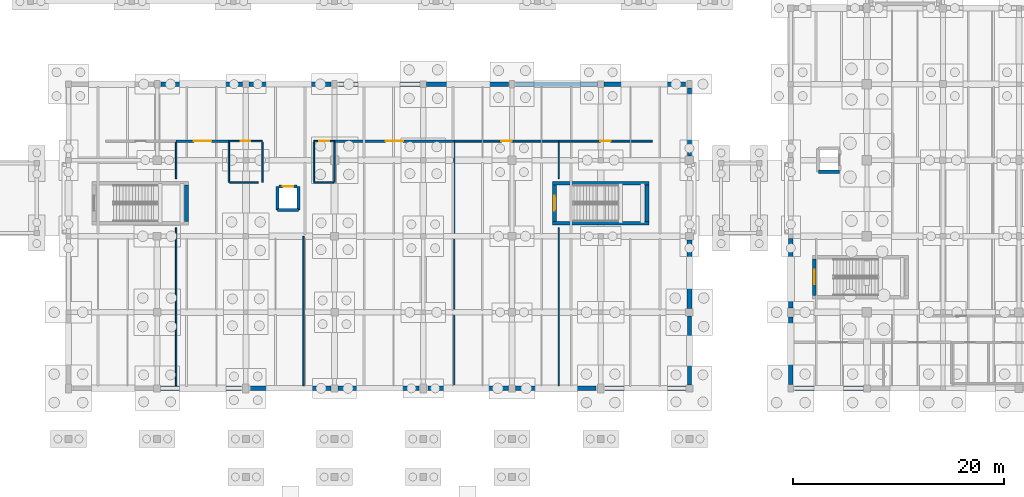
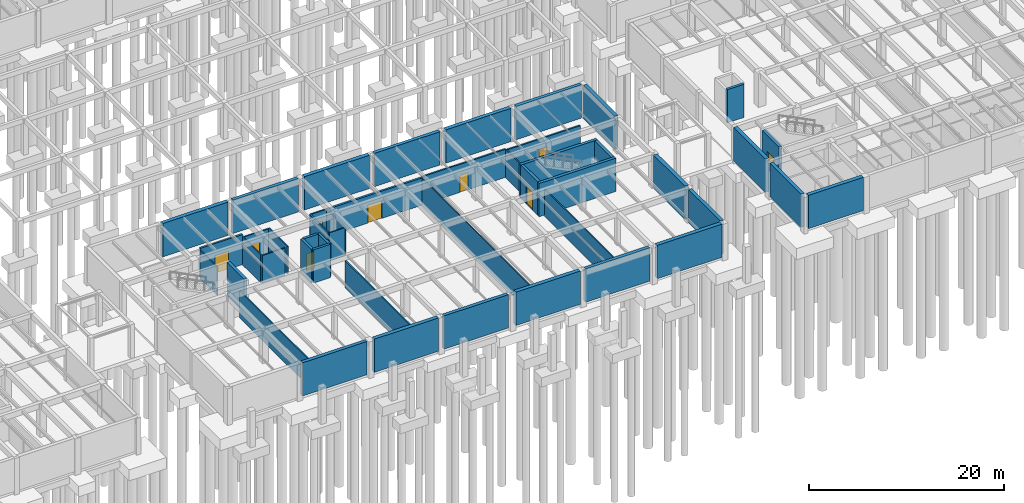
# One storey, part 42 of 63: 47 walls, 9 doors, 9 openings.
"""IFC4 building model written with IfcOpenShell, lengths in metres."""

from ifc_helpers import new_model, si_unit, direction, frame, frame_2d, origin, place, context, subcontext, project, spatial, rectangle, extrude, material, layer, layer_set, type_object, element, fill, save


model = new_model("IFC4")

# Units and contexts
model_context = context("Model", 3, precision=1e-05, world=origin(), true_north=direction((0.0, 1.0)))
body_context = subcontext(model_context, "Body", "Model", "MODEL_VIEW")
ifc_project = project(units=[si_unit("LENGTHUNIT", "METRE"), si_unit("AREAUNIT", "SQUARE_METRE"), si_unit("VOLUMEUNIT", "CUBIC_METRE"), si_unit("PLANEANGLEUNIT", "RADIAN"), si_unit("MASSUNIT", "GRAM", prefix="KILO")], contexts=[model_context])

# Site, building, storey
site_placement = place(None, origin())
site = spatial("IfcSite", under=ifc_project, at=site_placement, CompositionType="ELEMENT")
building_placement = place(site_placement, origin())
building = spatial("IfcBuilding", under=site, at=building_placement, Name="Mazaris Harbour Polytechnic", CompositionType="ELEMENT")
storey_placement = place(building_placement, frame((0.0, 0.0, -4.5)))
storey = spatial("IfcBuildingStorey", under=building, at=storey_placement, Name="B1", CompositionType="ELEMENT", Elevation=-4.5)

# Walls
ifc_material_1 = material(Name="Gypsum Board and Mineral Wool")
ifc_layer_1 = layer(ifc_material_1, 0.1201171875, Name="Gypsum Board and Mineral Wool")
ifc_layer_set_1 = layer_set([ifc_layer_1], Name="Gypsum Board and Mineral Wool")
wall_type_1 = type_object("IfcWallType", Name="Acoustic Stud Partition 120", PredefinedType="PARTITIONING", material=ifc_layer_set_1)
wall_1_placement = place(storey_placement, frame((90.527099609375, 7.449951171875, 0.0), z_axis=(0.0, 0.0, 1.0), x_axis=(0.0, 1.0, 0.0)))
element("IfcWall", 1, at=wall_1_placement, inside=storey, type_object=wall_type_1, Name="V3 B1 Partition 185", PredefinedType="PARTITIONING", context=body_context, shape_type="SweptSolid", body=[
    extrude(rectangle(XDim=23.027587890625, YDim=0.1201171875, at=frame_2d((11.513671875, 0.0))), origin(), (0.0, 0.0, 1.0), 3.3798828125),
])
ifc_material_2 = material(Name="Double Gypsum and Mineral Wool")
ifc_layer_2 = layer(ifc_material_2, 0.14990234375, Name="Double Gypsum and Mineral Wool")
ifc_layer_set_2 = layer_set([ifc_layer_2], Name="Double Gypsum and Mineral Wool")
wall_type_2 = type_object("IfcWallType", Name="Classroom Acoustic Partition 150", PredefinedType="PARTITIONING", material=ifc_layer_set_2)
wall_2_placement = place(storey_placement, frame((76.27392578125, 7.449951171875, 0.0), z_axis=(0.0, 0.0, 1.0), x_axis=(0.0, 1.0, 0.0)))
element("IfcWall", 2, at=wall_2_placement, inside=storey, type_object=wall_type_2, Name="V3 B1 Partition 183", PredefinedType="PARTITIONING", context=body_context, shape_type="SweptSolid", body=[
    extrude(rectangle(XDim=14.14501953125, YDim=0.14990234375, at=frame_2d((7.072509765625, 0.0))), origin(), (0.0, 0.0, 1.0), 3.429931640625),
])

# Wall, opening, door
ifc_material_3 = material(Name="Terracotta Block and Plaster", Category="masonry")
ifc_layer_3 = layer(ifc_material_3, 0.179931640625, Name="Terracotta Block and Plaster")
ifc_layer_set_3 = layer_set([ifc_layer_3], Name="Terracotta Block and Plaster")
wall_type_3 = type_object("IfcWallType", Name="Corridor Fire Partition 180", PredefinedType="PARTITIONING", material=ifc_layer_set_3)
wall_3_placement = place(storey_placement, frame((90.531982421875, 30.60009765625, 0.0), z_axis=(0.0, 0.0, 1.0), x_axis=(1.0, 0.0, 0.0)))
wall_3 = element("IfcWall", 3, at=wall_3_placement, inside=storey, type_object=wall_type_3, Name="V3 B1 Partition 186", PredefinedType="PARTITIONING", context=body_context, shape_type="SweptSolid", body=[
    extrude(rectangle(XDim=9.89306640625, YDim=0.179931640625, at=frame_2d((4.946533203125, 0.0))), origin(), (0.0, 0.0, 1.0), 3.530029296875),
])
opening_1_placement = place(wall_3_placement, frame((4.471435546875, 0.0, 0.0)))
opening_1 = element("IfcOpeningElement", 4, at=opening_1_placement, cuts=wall_3, Name="Opening ID-01L", PredefinedType="OPENING", context=body_context, shape_type="SweptSolid", body=[
    extrude(rectangle(XDim=0.949951171875, YDim=2.14990234375, at=frame_2d((0.47509765625, 1.074951171875))), frame((0.0, 0.099853515625, 0.0), z_axis=(0.0, -1.0, 0.0), x_axis=(1.0, 0.0, 0.0)), (0.0, 0.0, 1.0), 0.199951171875),
])
ifc_material_4 = material(Name="Solid Oak Timber", Category="wood")
door_type_1 = type_object("IfcDoorType", Name="Classroom Single Door LH 950x2150", OperationType="SINGLE_SWING_LEFT", PredefinedType="DOOR", material=ifc_material_4)
door_1_placement = place(opening_1_placement, origin())
door_1 = element("IfcDoor", 5, at=door_1_placement, inside=storey, type_object=door_type_1, Name="ID-0086", OperationType="SINGLE_SWING_LEFT", OverallHeight=2.14990234375, OverallWidth=0.949951171875, PredefinedType="DOOR", context=body_context, shape_type="SweptSolid", body=[
    extrude(rectangle(XDim=0.949951171875, YDim=2.14990234375, at=frame_2d((0.47509765625, 1.074951171875))), frame((0.0, 0.02490234375, 0.0), z_axis=(0.0, -1.0, 0.0), x_axis=(1.0, 0.0, 0.0)), (0.0, 0.0, 1.0), 0.050048828125),
])
fill(opening_1, door_1)

wall_4_placement = place(storey_placement, frame((100.429931640625, 30.60009765625, 0.0), z_axis=(0.0, 0.0, 1.0), x_axis=(1.0, 0.0, 0.0)))
wall_4 = element("IfcWall", 6, at=wall_4_placement, inside=storey, type_object=wall_type_3, Name="V3 B1 Partition 188", PredefinedType="PARTITIONING", context=body_context, shape_type="SweptSolid", body=[
    extrude(rectangle(XDim=8.85009765625, YDim=0.179931640625, at=frame_2d((4.425048828125, 0.0))), origin(), (0.0, 0.0, 1.0), 3.3798828125),
])
opening_2_placement = place(wall_4_placement, frame((3.945068359375, 0.0, 0.0)))
opening_2 = element("IfcOpeningElement", 7, at=opening_2_placement, cuts=wall_4, Name="Opening ID-01R", PredefinedType="OPENING", context=body_context, shape_type="SweptSolid", body=[
    extrude(rectangle(XDim=0.9599609375, YDim=2.14990234375, at=frame_2d((0.47998046875, 1.074951171875))), frame((0.0, 0.099853515625, 0.0), z_axis=(0.0, -1.0, 0.0), x_axis=(1.0, 0.0, 0.0)), (0.0, 0.0, 1.0), 0.199951171875),
])
ifc_material_5 = material(Name="Solid Oak Timber", Category="wood")
door_type_2 = type_object("IfcDoorType", Name="Classroom Single Door RH 960x2150", OperationType="SINGLE_SWING_RIGHT", PredefinedType="DOOR", material=ifc_material_5)
door_2_placement = place(opening_2_placement, origin())
door_2 = element("IfcDoor", 8, at=door_2_placement, inside=storey, type_object=door_type_2, Name="ID-0087", OperationType="SINGLE_SWING_RIGHT", OverallHeight=2.14990234375, OverallWidth=0.9599609375, PredefinedType="DOOR", context=body_context, shape_type="SweptSolid", body=[
    extrude(rectangle(XDim=0.9599609375, YDim=2.14990234375, at=frame_2d((0.47998046875, 1.074951171875))), frame((0.0, 0.02490234375, 0.0), z_axis=(0.0, -1.0, 0.0), x_axis=(1.0, 0.0, 0.0)), (0.0, 0.0, 1.0), 0.050048828125),
])
fill(opening_2, door_2)

ifc_material_6 = material(Name="Concrete Masonry C30/37", Category="masonry")
ifc_layer_4 = layer(ifc_material_6, 0.22509765625, Name="Concrete Masonry C30/37")
ifc_layer_set_4 = layer_set([ifc_layer_4], Name="Concrete Masonry C30/37")
wall_type_4 = type_object("IfcWallType", Name="Plant Room Fire Wall 225", PredefinedType="STANDARD", material=ifc_layer_set_4)
wall_5_placement = place(storey_placement, frame((64.202880859375, 30.60009765625, 0.0), z_axis=(0.0, 0.0, 1.0), x_axis=(1.0, 0.0, 0.0)))
wall_5 = element("IfcWall", 9, at=wall_5_placement, inside=storey, type_object=wall_type_4, Name="V3 B1 Partition 181", PredefinedType="STANDARD", context=body_context, shape_type="SweptSolid", body=[
    extrude(rectangle(XDim=4.9921875, YDim=0.22509765625, at=frame_2d((2.49609375, 0.0))), origin(), (0.0, 0.0, 1.0), 3.780029296875),
])
opening_3_placement = place(wall_5_placement, frame((1.6708984375, 0.0, 0.0)))
opening_3 = element("IfcOpeningElement", 10, at=opening_3_placement, cuts=wall_5, Name="Opening ID-06D", PredefinedType="OPENING", context=body_context, shape_type="SweptSolid", body=[
    extrude(rectangle(XDim=1.64990234375, YDim=2.25, at=frame_2d((0.824951171875, 1.125))), frame((0.0, 0.12255859375, 0.0), z_axis=(0.0, -1.0, 0.0), x_axis=(1.0, 0.0, 0.0)), (0.0, 0.0, 1.0), 0.2451171875),
])
ifc_material_7 = material(Name="Galvanised Steel S355", Category="steel")
door_type_3 = type_object("IfcDoorType", Name="Plant and Substation Double Door 1650x2250", OperationType="DOUBLE_DOOR_SINGLE_SWING", PredefinedType="DOOR", material=ifc_material_7)
door_3_placement = place(opening_3_placement, origin())
door_3 = element("IfcDoor", 11, at=door_3_placement, inside=storey, type_object=door_type_3, Name="ID-0084", OperationType="DOUBLE_DOOR_SINGLE_SWING", OverallHeight=2.25, OverallWidth=1.64990234375, PredefinedType="DOOR", context=body_context, shape_type="SweptSolid", body=[
    extrude(rectangle(XDim=1.64990234375, YDim=2.25, at=frame_2d((0.824951171875, 1.125))), frame((0.0, 0.02490234375, 0.0), z_axis=(0.0, -1.0, 0.0), x_axis=(1.0, 0.0, 0.0)), (0.0, 0.0, 1.0), 0.050048828125),
])
fill(opening_3, door_3)

wall_6_placement = place(storey_placement, frame((79.205078125, 30.60009765625, 0.0), z_axis=(0.0, 0.0, 1.0), x_axis=(1.0, 0.0, 0.0)))
wall_6 = element("IfcWall", 12, at=wall_6_placement, inside=storey, type_object=wall_type_4, Name="V3 B1 Partition 184", PredefinedType="STANDARD", context=body_context, shape_type="SweptSolid", body=[
    extrude(rectangle(XDim=11.322021484375, YDim=0.22509765625, at=frame_2d((5.6611328125, 0.0))), origin(), (0.0, 0.0, 1.0), 3.429931640625),
])
opening_4_placement = place(wall_6_placement, frame((4.8359375, 0.0, 0.0)))
opening_4 = element("IfcOpeningElement", 13, at=opening_4_placement, cuts=wall_6, Name="Opening ID-06D", PredefinedType="OPENING", context=body_context, shape_type="SweptSolid", body=[
    extrude(rectangle(XDim=1.64990234375, YDim=2.25, at=frame_2d((0.824951171875, 1.125))), frame((0.0, 0.12255859375, 0.0), z_axis=(0.0, -1.0, 0.0), x_axis=(1.0, 0.0, 0.0)), (0.0, 0.0, 1.0), 0.2451171875),
])
door_4_placement = place(opening_4_placement, origin())
door_4 = element("IfcDoor", 14, at=door_4_placement, inside=storey, type_object=door_type_3, Name="ID-0085", OperationType="DOUBLE_DOOR_SINGLE_SWING", OverallHeight=2.25, OverallWidth=1.64990234375, PredefinedType="DOOR", context=body_context, shape_type="SweptSolid", body=[
    extrude(rectangle(XDim=1.64990234375, YDim=2.25, at=frame_2d((0.824951171875, 1.125))), frame((0.0, 0.02490234375, 0.0), z_axis=(0.0, -1.0, 0.0), x_axis=(1.0, 0.0, 0.0)), (0.0, 0.0, 1.0), 0.050048828125),
])
fill(opening_4, door_4)

# Walls
ifc_material_8 = material(Name="Concrete C35/45", Category="concrete")
ifc_layer_5 = layer(ifc_material_8, 0.39990234375, Name="Concrete C35/45")
ifc_layer_set_5 = layer_set([ifc_layer_5], Name="Concrete C35/45")
wall_type_5 = type_object("IfcWallType", Name="RC Basement Retaining Wall 400", PredefinedType="USERDEFINED", material=ifc_layer_set_5)
wall_7_placement = place(storey_placement, frame((122.39990234375, 7.550048828125, 0.0), z_axis=(0.0, 0.0, 1.0), x_axis=(0.0, 1.0, 0.0)))
element("IfcWall", 15, at=wall_7_placement, inside=storey, type_object=wall_type_5, Name="V2 B1 Retaining Wall 40", ObjectType="RETAINING WALL", PredefinedType="USERDEFINED", context=body_context, shape_type="SweptSolid", body=[
    extrude(rectangle(XDim=6.425048828125, YDim=0.39990234375, at=frame_2d((3.21240234375, 0.0))), origin(), (0.0, 0.0, 1.0), 4.179931640625),
])
wall_8_placement = place(storey_placement, frame((62.72509765625, 7.199951171875, 0.0), z_axis=(0.0, 0.0, 1.0), x_axis=(1.0, 0.0, 0.0)))
element("IfcWall", 16, at=wall_8_placement, inside=storey, type_object=wall_type_5, Name="V3 B1 Retaining Wall 50", ObjectType="RETAINING WALL", PredefinedType="USERDEFINED", context=body_context, shape_type="SweptSolid", body=[
    extrude(rectangle(XDim=7.64990234375, YDim=0.39990234375, at=frame_2d((3.824951171875, 0.0))), origin(), (0.0, 0.0, 1.0), 4.179931640625),
])
for number, where, z_axis, x_axis, name in (
    (17, (79.52490234375, 7.199951171875, 0.0), (0.0, 0.0, 1.0), (1.0, 0.0, 0.0), "V3 B1 Retaining Wall 52"),
    (18, (96.324951171875, 7.199951171875, 0.0), (0.0, 0.0, 1.0), (1.0, 0.0, 0.0), "V3 B1 Retaining Wall 54"),
):
    element("IfcWall", number, at=place(storey_placement, frame(where, z_axis=z_axis, x_axis=x_axis)), inside=storey, type_object=wall_type_5, Name=name, ObjectType="RETAINING WALL", PredefinedType="USERDEFINED", context=body_context, shape_type="SweptSolid", body=[
        extrude(rectangle(XDim=7.650146484375, YDim=0.39990234375, at=frame_2d((3.8251953125, 0.0))), origin(), (0.0, 0.0, 1.0), 4.179931640625),
    ])
for number, where, z_axis, x_axis, name in (
    (19, (71.10009765625, 36.0, 0.0), (0.0, 0.0, 1.0), (1.0, 0.0, 0.0), "V3 B1 Retaining Wall 58"),
    (20, (87.89990234375, 36.0, 0.0), (0.0, 0.0, 1.0), (1.0, 0.0, 0.0), "V3 B1 Retaining Wall 60"),
    (21, (104.699951171875, 36.0, 0.0), (0.0, 0.0, 1.0), (1.0, 0.0, 0.0), "V3 B1 Retaining Wall 62"),
):
    element("IfcWall", number, at=place(storey_placement, frame(where, z_axis=z_axis, x_axis=x_axis)), inside=storey, type_object=wall_type_5, Name=name, ObjectType="RETAINING WALL", PredefinedType="USERDEFINED", context=body_context, shape_type="SweptSolid", body=[
        extrude(rectangle(XDim=7.75, YDim=0.39990234375, at=frame_2d((3.875, 0.0))), origin(), (0.0, 0.0, 1.0), 4.179931640625),
    ])
wall_9_placement = place(storey_placement, frame((112.800048828125, 7.52490234375, 0.0), z_axis=(0.0, 0.0, 1.0), x_axis=(0.0, 1.0, 0.0)))
element("IfcWall", 22, at=wall_9_placement, inside=storey, type_object=wall_type_5, Name="V3 B1 Retaining Wall 66", ObjectType="RETAINING WALL", PredefinedType="USERDEFINED", context=body_context, shape_type="SweptSolid", body=[
    extrude(rectangle(XDim=6.525146484375, YDim=0.39990234375, at=frame_2d((3.2626953125, 0.0))), origin(), (0.0, 0.0, 1.0), 4.179931640625),
])
wall_10_placement = place(storey_placement, frame((112.800048828125, 29.199951171875, 0.0), z_axis=(0.0, 0.0, 1.0), x_axis=(0.0, 1.0, 0.0)))
element("IfcWall", 23, at=wall_10_placement, inside=storey, type_object=wall_type_5, Name="V3 B1 Retaining Wall 68", ObjectType="RETAINING WALL", PredefinedType="USERDEFINED", context=body_context, shape_type="SweptSolid", body=[
    extrude(rectangle(XDim=6.449951171875, YDim=0.39990234375, at=frame_2d((3.22509765625, 0.0))), origin(), (0.0, 0.0, 1.0), 4.179931640625),
])
ifc_material_9 = material(Name="Concrete C35/45", Category="concrete")
ifc_layer_6 = layer(ifc_material_9, 0.449951171875, Name="Concrete C35/45")
ifc_layer_set_6 = layer_set([ifc_layer_6], Name="Concrete C35/45")
wall_type_6 = type_object("IfcWallType", Name="RC Basement Retaining Wall 450", PredefinedType="USERDEFINED", material=ifc_layer_set_6)
wall_11_placement = place(storey_placement, frame((122.75, 7.199951171875, 0.0), z_axis=(0.0, 0.0, 1.0), x_axis=(1.0, 0.0, 0.0)))
element("IfcWall", 24, at=wall_11_placement, inside=storey, type_object=wall_type_6, Name="V2 B1 Retaining Wall 27", ObjectType="RETAINING WALL", PredefinedType="USERDEFINED", context=body_context, shape_type="SweptSolid", body=[
    extrude(rectangle(XDim=6.52490234375, YDim=0.449951171875, at=frame_2d((3.262451171875, 0.0))), origin(), (0.0, 0.0, 1.0), 4.179931640625),
])
wall_12_placement = place(storey_placement, frame((122.39990234375, 14.824951171875, 0.0), z_axis=(0.0, 0.0, 1.0), x_axis=(0.0, 1.0, 0.0)))
element("IfcWall", 25, at=wall_12_placement, inside=storey, type_object=wall_type_6, Name="V2 B1 Retaining Wall 41", ObjectType="RETAINING WALL", PredefinedType="USERDEFINED", context=body_context, shape_type="SweptSolid", body=[
    extrude(rectangle(XDim=6.550048828125, YDim=0.449951171875, at=frame_2d((3.27490234375, 0.0))), origin(), (0.0, 0.0, 1.0), 4.179931640625),
])
wall_13_placement = place(storey_placement, frame((71.22509765625, 7.199951171875, 0.0), z_axis=(0.0, 0.0, 1.0), x_axis=(1.0, 0.0, 0.0)))
element("IfcWall", 26, at=wall_13_placement, inside=storey, type_object=wall_type_6, Name="V3 B1 Retaining Wall 51", ObjectType="RETAINING WALL", PredefinedType="USERDEFINED", context=body_context, shape_type="SweptSolid", body=[
    extrude(rectangle(XDim=7.64990234375, YDim=0.449951171875, at=frame_2d((3.824951171875, 0.0))), origin(), (0.0, 0.0, 1.0), 4.179931640625),
])
for number, where, z_axis, x_axis, name in (
    (27, (88.02490234375, 7.199951171875, 0.0), (0.0, 0.0, 1.0), (1.0, 0.0, 0.0), "V3 B1 Retaining Wall 53"),
    (28, (104.824951171875, 7.199951171875, 0.0), (0.0, 0.0, 1.0), (1.0, 0.0, 0.0), "V3 B1 Retaining Wall 55"),
):
    element("IfcWall", number, at=place(storey_placement, frame(where, z_axis=z_axis, x_axis=x_axis)), inside=storey, type_object=wall_type_6, Name=name, ObjectType="RETAINING WALL", PredefinedType="USERDEFINED", context=body_context, shape_type="SweptSolid", body=[
        extrude(rectangle(XDim=7.650146484375, YDim=0.449951171875, at=frame_2d((3.8251953125, 0.0))), origin(), (0.0, 0.0, 1.0), 4.179931640625),
    ])
for number, where, z_axis, x_axis, name in (
    (29, (62.75, 36.0, 0.0), (0.0, 0.0, 1.0), (1.0, 0.0, 0.0), "V3 B1 Retaining Wall 57"),
    (30, (79.550048828125, 36.0, 0.0), (0.0, 0.0, 1.0), (1.0, 0.0, 0.0), "V3 B1 Retaining Wall 59"),
    (31, (96.35009765625, 36.0, 0.0), (0.0, 0.0, 1.0), (1.0, 0.0, 0.0), "V3 B1 Retaining Wall 61"),
):
    element("IfcWall", number, at=place(storey_placement, frame(where, z_axis=z_axis, x_axis=x_axis)), inside=storey, type_object=wall_type_6, Name=name, ObjectType="RETAINING WALL", PredefinedType="USERDEFINED", context=body_context, shape_type="SweptSolid", body=[
        extrude(rectangle(XDim=7.75, YDim=0.449951171875, at=frame_2d((3.875, 0.0))), origin(), (0.0, 0.0, 1.0), 4.179931640625),
    ])
wall_14_placement = place(storey_placement, frame((112.800048828125, 14.75, 0.0), z_axis=(0.0, 0.0, 1.0), x_axis=(0.0, 1.0, 0.0)))
element("IfcWall", 32, at=wall_14_placement, inside=storey, type_object=wall_type_6, Name="V3 B1 Retaining Wall 67", ObjectType="RETAINING WALL", PredefinedType="USERDEFINED", context=body_context, shape_type="SweptSolid", body=[
    extrude(rectangle(XDim=6.47509765625, YDim=0.449951171875, at=frame_2d((3.237548828125, 0.0))), origin(), (0.0, 0.0, 1.0), 4.179931640625),
])
ifc_material_10 = material(Name="Concrete C40/50", Category="concrete")
ifc_layer_7 = layer(ifc_material_10, 0.35009765625, Name="Concrete C40/50")
ifc_layer_set_7 = layer_set([ifc_layer_7], Name="Concrete C40/50")
wall_type_7 = type_object("IfcWallType", Name="RC Core Shear Wall 350", PredefinedType="SHEAR", material=ifc_layer_set_7)
wall_15_placement = place(storey_placement, frame((65.175048828125, 23.0, 0.0), z_axis=(0.0, 0.0, 1.0), x_axis=(0.0, 1.0, 0.0)))
element("IfcWall", 33, at=wall_15_placement, inside=storey, type_object=wall_type_7, Name="Core ST05 B1 Shear Wall E", PredefinedType="SHEAR", context=body_context, shape_type="SweptSolid", body=[
    extrude(rectangle(XDim=3.449951171875, YDim=0.35009765625, at=frame_2d((1.72509765625, 0.0))), origin(), (0.0, 0.0, 1.0), 4.179931640625),
])
for number, where, z_axis, x_axis, name in (
    (34, (99.85009765625, 22.824951171875, 0.0), (0.0, 0.0, 1.0), (1.0, 0.0, 0.0), "Core ST06 B1 Shear Wall S"),
    (35, (108.949951171875, 26.625, 0.0), (0.0, 0.0, 1.0), (-1.0, 0.0, 0.0), "Core ST06 B1 Shear Wall N"),
):
    element("IfcWall", number, at=place(storey_placement, frame(where, z_axis=z_axis, x_axis=x_axis)), inside=storey, type_object=wall_type_7, Name=name, PredefinedType="SHEAR", context=body_context, shape_type="SweptSolid", body=[
        extrude(rectangle(XDim=9.099853515625, YDim=0.35009765625, at=frame_2d((4.5498046875, 0.0))), origin(), (0.0, 0.0, 1.0), 4.179931640625),
    ])
wall_16_placement = place(storey_placement, frame((108.77490234375, 23.0, 0.0), z_axis=(0.0, 0.0, 1.0), x_axis=(0.0, 1.0, 0.0)))
element("IfcWall", 36, at=wall_16_placement, inside=storey, type_object=wall_type_7, Name="Core ST06 B1 Shear Wall E", PredefinedType="SHEAR", context=body_context, shape_type="SweptSolid", body=[
    extrude(rectangle(XDim=3.449951171875, YDim=0.35009765625, at=frame_2d((1.72509765625, 0.0))), origin(), (0.0, 0.0, 1.0), 4.179931640625),
])

# Wall, opening, door
wall_17_placement = place(storey_placement, frame((124.625, 19.449951171875, 0.0), z_axis=(0.0, 0.0, 1.0), x_axis=(0.0, -1.0, 0.0)))
wall_17 = element("IfcWall", 37, at=wall_17_placement, inside=storey, type_object=wall_type_7, Name="Core ST03 B1 Entrance Shear Wall", PredefinedType="SHEAR", context=body_context, shape_type="SweptSolid", body=[
    extrude(rectangle(XDim=3.449951171875, YDim=0.35009765625, at=frame_2d((1.72509765625, 0.0))), origin(), (0.0, 0.0, 1.0), 4.179931640625),
])
opening_5_placement = place(wall_17_placement, frame((1.034912109375, 0.0, 0.0)))
opening_5 = element("IfcOpeningElement", 38, at=opening_5_placement, cuts=wall_17, Name="Opening SD-01", PredefinedType="OPENING", context=body_context, shape_type="SweptSolid", body=[
    extrude(rectangle(XDim=1.3798828125, YDim=2.199951171875, at=frame_2d((0.68994140625, 1.10009765625))), frame((0.0, 0.18505859375, 0.0), z_axis=(0.0, -1.0, 0.0), x_axis=(1.0, 0.0, 0.0)), (0.0, 0.0, 1.0), 0.3701171875),
])
ifc_material_11 = material(Name="Glulam Timber and Fire Glass", Category="wood")
door_type_4 = type_object("IfcDoorType", Name="Protected Stair Lobby Fire Door 1380x2200", OperationType="DOUBLE_DOOR_SINGLE_SWING", PredefinedType="DOOR", material=ifc_material_11)
door_5_placement = place(opening_5_placement, origin())
door_5 = element("IfcDoor", 39, at=door_5_placement, inside=storey, type_object=door_type_4, Name="SD-009", OperationType="DOUBLE_DOOR_SINGLE_SWING", OverallHeight=2.199951171875, OverallWidth=1.3798828125, PredefinedType="DOOR", context=body_context, shape_type="SweptSolid", body=[
    extrude(rectangle(XDim=1.3798828125, YDim=2.199951171875, at=frame_2d((0.68994140625, 1.10009765625))), frame((0.0, 0.02490234375, 0.0), z_axis=(0.0, -1.0, 0.0), x_axis=(1.0, 0.0, 0.0)), (0.0, 0.0, 1.0), 0.050048828125),
])
fill(opening_5, door_5)

wall_18_placement = place(storey_placement, frame((100.02490234375, 26.449951171875, 0.0), z_axis=(0.0, 0.0, 1.0), x_axis=(0.0, -1.0, 0.0)))
wall_18 = element("IfcWall", 40, at=wall_18_placement, inside=storey, type_object=wall_type_7, Name="Core ST06 B1 Entrance Shear Wall", PredefinedType="SHEAR", context=body_context, shape_type="SweptSolid", body=[
    extrude(rectangle(XDim=3.449951171875, YDim=0.35009765625, at=frame_2d((1.72509765625, 0.0))), origin(), (0.0, 0.0, 1.0), 4.179931640625),
])
opening_6_placement = place(wall_18_placement, frame((1.034912109375, 0.0, 0.0)))
opening_6 = element("IfcOpeningElement", 41, at=opening_6_placement, cuts=wall_18, Name="Opening SD-01", PredefinedType="OPENING", context=body_context, shape_type="SweptSolid", body=[
    extrude(rectangle(XDim=1.3798828125, YDim=2.199951171875, at=frame_2d((0.68994140625, 1.10009765625))), frame((0.0, 0.18505859375, 0.0), z_axis=(0.0, -1.0, 0.0), x_axis=(1.0, 0.0, 0.0)), (0.0, 0.0, 1.0), 0.3701171875),
])
door_6_placement = place(opening_6_placement, origin())
door_6 = element("IfcDoor", 42, at=door_6_placement, inside=storey, type_object=door_type_4, Name="SD-024", OperationType="DOUBLE_DOOR_SINGLE_SWING", OverallHeight=2.199951171875, OverallWidth=1.3798828125, PredefinedType="DOOR", context=body_context, shape_type="SweptSolid", body=[
    extrude(rectangle(XDim=1.3798828125, YDim=2.199951171875, at=frame_2d((0.68994140625, 1.10009765625))), frame((0.0, 0.02490234375, 0.0), z_axis=(0.0, -1.0, 0.0), x_axis=(1.0, 0.0, 0.0)), (0.0, 0.0, 1.0), 0.050048828125),
])
fill(opening_6, door_6)

# Walls
ifc_material_12 = material(Name="Concrete C40/50", Category="concrete")
ifc_layer_8 = layer(ifc_material_12, 0.300048828125, Name="Concrete C40/50")
ifc_layer_set_8 = layer_set([ifc_layer_8], Name="Concrete C40/50")
wall_type_8 = type_object("IfcWallType", Name="RC Lift Shaft Wall 300", PredefinedType="SHEAR", material=ifc_layer_set_8)
for number, where, z_axis, x_axis, name in (
    (43, (125.0, 27.699951171875, 0.0), (0.0, 0.0, 1.0), (1.0, 0.0, 0.0), "Lift LP-02 B1 South Shaft Wall"),
    (44, (73.800048828125, 24.10009765625, 0.0), (0.0, 0.0, 1.0), (1.0, 0.0, 0.0), "Lift LP-03 B1 South Shaft Wall"),
):
    element("IfcWall", number, at=place(storey_placement, frame(where, z_axis=z_axis, x_axis=x_axis)), inside=storey, type_object=wall_type_8, Name=name, PredefinedType="SHEAR", context=body_context, shape_type="SweptSolid", body=[
        extrude(rectangle(XDim=2.0, YDim=0.300048828125, at=frame_2d((1.0, 0.0))), origin(), (0.0, 0.0, 1.0), 4.179931640625),
    ])
for number, where, z_axis, x_axis, name in (
    (45, (73.800048828125, 26.300048828125, 0.0), (0.0, 0.0, 1.0), (0.0, -1.0, 0.0), "Lift LP-03 B1 West Shaft Wall"),
    (46, (75.800048828125, 24.10009765625, 0.0), (0.0, 0.0, 1.0), (0.0, 1.0, 0.0), "Lift LP-03 B1 East Shaft Wall"),
):
    element("IfcWall", number, at=place(storey_placement, frame(where, z_axis=z_axis, x_axis=x_axis)), inside=storey, type_object=wall_type_8, Name=name, PredefinedType="SHEAR", context=body_context, shape_type="SweptSolid", body=[
        extrude(rectangle(XDim=2.199951171875, YDim=0.300048828125, at=frame_2d((1.10009765625, 0.0))), origin(), (0.0, 0.0, 1.0), 4.179931640625),
    ])

# Wall, opening, door
wall_19_placement = place(storey_placement, frame((73.93994140625, 26.300048828125, 0.0), z_axis=(0.0, 0.0, 1.0), x_axis=(1.0, 0.0, 0.0)))
wall_19 = element("IfcWall", 47, at=wall_19_placement, inside=storey, type_object=wall_type_8, Name="Lift LP-03 B1 Front Shaft Wall", PredefinedType="SHEAR", context=body_context, shape_type="SweptSolid", body=[
    extrude(rectangle(XDim=1.719970703125, YDim=0.300048828125, at=frame_2d((0.85986328125, 0.0))), origin(), (0.0, 0.0, 1.0), 4.179931640625),
])
opening_7_placement = place(wall_19_placement, frame((0.360107421875, 0.0, 0.0)))
opening_7 = element("IfcOpeningElement", 48, at=opening_7_placement, cuts=wall_19, Name="Opening LD-01", PredefinedType="OPENING", context=body_context, shape_type="SweptSolid", body=[
    extrude(rectangle(XDim=1.0, YDim=2.10009765625, at=frame_2d((0.5, 1.050048828125))), frame((0.0, 0.159912109375, 0.0), z_axis=(0.0, -1.0, 0.0), x_axis=(1.0, 0.0, 0.0)), (0.0, 0.0, 1.0), 0.320068359375),
])
ifc_material_13 = material(Name="Stainless Steel S355", Category="steel")
door_type_5 = type_object("IfcDoorType", Name="Sliding Passenger Lift Landing Door 1000x2100", OperationType="SLIDING_TO_LEFT", PredefinedType="DOOR", material=ifc_material_13)
door_7_placement = place(opening_7_placement, origin())
door_7 = element("IfcDoor", 49, at=door_7_placement, inside=storey, type_object=door_type_5, Name="LD-025", OperationType="SLIDING_TO_LEFT", OverallHeight=2.10009765625, OverallWidth=1.0, PredefinedType="DOOR", context=body_context, shape_type="SweptSolid", body=[
    extrude(rectangle(XDim=1.0, YDim=2.10009765625, at=frame_2d((0.5, 1.050048828125))), frame((0.0, 0.02490234375, 0.0), z_axis=(0.0, -1.0, 0.0), x_axis=(1.0, 0.0, 0.0)), (0.0, 0.0, 1.0), 0.050048828125),
])
fill(opening_7, door_7)

ifc_material_14 = material(Name="Moisture-Resistant Gypsum and Steel Stud", Category="steel")
ifc_layer_9 = layer(ifc_material_14, 0.14501953125, Name="Moisture-Resistant Gypsum and Steel Stud")
ifc_layer_set_9 = layer_set([ifc_layer_9], Name="Moisture-Resistant Gypsum and Steel Stud")
wall_type_9 = type_object("IfcWallType", Name="Sanitary Plumbing Wall 145", PredefinedType="PLUMBINGWALL", material=ifc_layer_set_9)
wall_20_placement = place(storey_placement, frame((69.199951171875, 30.60009765625, 0.0), z_axis=(0.0, 0.0, 1.0), x_axis=(1.0, 0.0, 0.0)))
wall_20 = element("IfcWall", 50, at=wall_20_placement, inside=storey, type_object=wall_type_9, Name="V3 B1 Partition 174", PredefinedType="PLUMBINGWALL", context=body_context, shape_type="SweptSolid", body=[
    extrude(rectangle(XDim=3.16015625, YDim=0.14501953125, at=frame_2d((1.580078125, 0.0))), origin(), (0.0, 0.0, 1.0), 3.3798828125),
])
opening_8_placement = place(wall_20_placement, frame((1.1298828125, 0.0, 0.0)))
opening_8 = element("IfcOpeningElement", 51, at=opening_8_placement, cuts=wall_20, Name="Opening ID-07R", PredefinedType="OPENING", context=body_context, shape_type="SweptSolid", body=[
    extrude(rectangle(XDim=0.89990234375, YDim=2.10009765625, at=frame_2d((0.449951171875, 1.050048828125))), frame((0.0, 0.08251953125, 0.0), z_axis=(0.0, -1.0, 0.0), x_axis=(1.0, 0.0, 0.0)), (0.0, 0.0, 1.0), 0.1650390625),
])
ifc_material_15 = material(Name="Moisture-Resistant Laminate Timber", Category="wood")
door_type_6 = type_object("IfcDoorType", Name="Sanitary Room Door RH 900x2100", OperationType="SINGLE_SWING_RIGHT", PredefinedType="DOOR", material=ifc_material_15)
door_8_placement = place(opening_8_placement, origin())
door_8 = element("IfcDoor", 52, at=door_8_placement, inside=storey, type_object=door_type_6, Name="ID-0081", OperationType="SINGLE_SWING_RIGHT", OverallHeight=2.10009765625, OverallWidth=0.89990234375, PredefinedType="DOOR", context=body_context, shape_type="SweptSolid", body=[
    extrude(rectangle(XDim=0.89990234375, YDim=2.10009765625, at=frame_2d((0.449951171875, 1.050048828125))), frame((0.0, 0.02490234375, 0.0), z_axis=(0.0, -1.0, 0.0), x_axis=(1.0, 0.0, 0.0)), (0.0, 0.0, 1.0), 0.050048828125),
])
fill(opening_8, door_8)

# Walls
wall_21_placement = place(storey_placement, frame((69.199951171875, 26.699951171875, 0.0), z_axis=(0.0, 0.0, 1.0), x_axis=(0.0, 1.0, 0.0)))
element("IfcWall", 53, at=wall_21_placement, inside=storey, type_object=wall_type_9, Name="V3 B1 Partition 175", PredefinedType="PLUMBINGWALL", context=body_context, shape_type="SweptSolid", body=[
    extrude(rectangle(XDim=3.780029296875, YDim=0.14501953125, at=frame_2d((1.89013671875, 0.0))), origin(), (0.0, 0.0, 1.0), 3.530029296875),
])
wall_22_placement = place(storey_placement, frame((69.282470703125, 26.699951171875, 0.0), z_axis=(0.0, 0.0, 1.0), x_axis=(1.0, 0.0, 0.0)))
element("IfcWall", 54, at=wall_22_placement, inside=storey, type_object=wall_type_9, Name="V3 B1 Partition 176", PredefinedType="PLUMBINGWALL", context=body_context, shape_type="SweptSolid", body=[
    extrude(rectangle(XDim=2.712646484375, YDim=0.14501953125, at=frame_2d((1.3564453125, 0.0))), origin(), (0.0, 0.0, 1.0), 3.429931640625),
])

# Wall, opening, door
wall_23_placement = place(storey_placement, frame((77.239990234375, 30.60009765625, 0.0), z_axis=(0.0, 0.0, 1.0), x_axis=(1.0, 0.0, 0.0)))
wall_23 = element("IfcWall", 55, at=wall_23_placement, inside=storey, type_object=wall_type_9, Name="V3 B1 Partition 177", PredefinedType="PLUMBINGWALL", context=body_context, shape_type="SweptSolid", body=[
    extrude(rectangle(XDim=1.9599609375, YDim=0.14501953125, at=frame_2d((0.97998046875, 0.0))), origin(), (0.0, 0.0, 1.0), 3.429931640625),
])
opening_9_placement = place(wall_23_placement, frame((0.52001953125, 0.0, 0.0)))
opening_9 = element("IfcOpeningElement", 56, at=opening_9_placement, cuts=wall_23, Name="Opening ID-07L", PredefinedType="OPENING", context=body_context, shape_type="SweptSolid", body=[
    extrude(rectangle(XDim=0.919921875, YDim=2.10009765625, at=frame_2d((0.4599609375, 1.050048828125))), frame((0.0, 0.08251953125, 0.0), z_axis=(0.0, -1.0, 0.0), x_axis=(1.0, 0.0, 0.0)), (0.0, 0.0, 1.0), 0.1650390625),
])
ifc_material_16 = material(Name="Moisture-Resistant Laminate Timber", Category="wood")
door_type_7 = type_object("IfcDoorType", Name="Accessible Toilet Door LH 920x2100", OperationType="SINGLE_SWING_LEFT", PredefinedType="DOOR", material=ifc_material_16)
door_9_placement = place(opening_9_placement, origin())
door_9 = element("IfcDoor", 57, at=door_9_placement, inside=storey, type_object=door_type_7, Name="ID-0082", OperationType="SINGLE_SWING_LEFT", OverallHeight=2.10009765625, OverallWidth=0.919921875, PredefinedType="DOOR", context=body_context, shape_type="SweptSolid", body=[
    extrude(rectangle(XDim=0.919921875, YDim=2.10009765625, at=frame_2d((0.4599609375, 1.050048828125))), frame((0.0, 0.02490234375, 0.0), z_axis=(0.0, -1.0, 0.0), x_axis=(1.0, 0.0, 0.0)), (0.0, 0.0, 1.0), 0.050048828125),
])
fill(opening_9, door_9)

# Walls
wall_24_placement = place(storey_placement, frame((79.199951171875, 26.699951171875, 0.0), z_axis=(0.0, 0.0, 1.0), x_axis=(0.0, 1.0, 0.0)))
element("IfcWall", 58, at=wall_24_placement, inside=storey, type_object=wall_type_9, Name="V3 B1 Partition 178", PredefinedType="PLUMBINGWALL", context=body_context, shape_type="SweptSolid", body=[
    extrude(rectangle(XDim=3.780029296875, YDim=0.14501953125, at=frame_2d((1.89013671875, 0.0))), origin(), (0.0, 0.0, 1.0), 3.429931640625),
])
wall_25_placement = place(storey_placement, frame((72.35498046875, 26.705078125, 0.0), z_axis=(0.0, 0.0, 1.0), x_axis=(0.0, 1.0, 0.0)))
element("IfcWall", 59, at=wall_25_placement, inside=storey, type_object=wall_type_9, Name="V3 B1 Sanitary Partition 716", PredefinedType="PLUMBINGWALL", context=body_context, shape_type="SweptSolid", body=[
    extrude(rectangle(XDim=3.8125, YDim=0.14501953125, at=frame_2d((1.90625, 0.0))), origin(), (0.0, 0.0, 1.0), 3.47998046875),
])
wall_26_placement = place(storey_placement, frame((77.2451171875, 26.705078125, 0.0), z_axis=(0.0, 0.0, 1.0), x_axis=(1.0, 0.0, 0.0)))
element("IfcWall", 60, at=wall_26_placement, inside=storey, type_object=wall_type_9, Name="V3 B1 Sanitary Partition 717", PredefinedType="PLUMBINGWALL", context=body_context, shape_type="SweptSolid", body=[
    extrude(rectangle(XDim=1.872314453125, YDim=0.14501953125, at=frame_2d((0.93603515625, 0.0))), origin(), (0.0, 0.0, 1.0), 3.47998046875),
])
wall_27_placement = place(storey_placement, frame((77.2451171875, 26.78759765625, 0.0), z_axis=(0.0, 0.0, 1.0), x_axis=(0.0, 1.0, 0.0)))
element("IfcWall", 61, at=wall_27_placement, inside=storey, type_object=wall_type_9, Name="V3 B1 Sanitary Partition 718", PredefinedType="PLUMBINGWALL", context=body_context, shape_type="SweptSolid", body=[
    extrude(rectangle(XDim=3.72998046875, YDim=0.14501953125, at=frame_2d((1.864990234375, 0.0))), origin(), (0.0, 0.0, 1.0), 3.47998046875),
])
ifc_material_17 = material(Name="Gypsum Board and Mineral Wool")
ifc_layer_10 = layer(ifc_material_17, 0.135009765625, Name="Gypsum Board and Mineral Wool")
ifc_layer_set_10 = layer_set([ifc_layer_10], Name="Gypsum Board and Mineral Wool")
wall_type_10 = type_object("IfcWallType", Name="Studio Partition Wall 135", PredefinedType="PARTITIONING", material=ifc_layer_set_10)
wall_28_placement = place(storey_placement, frame((64.197998046875, 27.054931640625, 0.0), z_axis=(0.0, 0.0, 1.0), x_axis=(0.0, 1.0, 0.0)))
element("IfcWall", 62, at=wall_28_placement, inside=storey, type_object=wall_type_10, Name="V3 B1 Partition 180", PredefinedType="PARTITIONING", context=body_context, shape_type="SweptSolid", body=[
    extrude(rectangle(XDim=3.425048828125, YDim=0.135009765625, at=frame_2d((1.71240234375, 0.0))), origin(), (0.0, 0.0, 1.0), 3.530029296875),
])
wall_29_placement = place(storey_placement, frame((64.197998046875, 7.449951171875, 0.0), z_axis=(0.0, 0.0, 1.0), x_axis=(0.0, 1.0, 0.0)))
element("IfcWall", 63, at=wall_29_placement, inside=storey, type_object=wall_type_10, Name="V3 B1 Partition 182", PredefinedType="PARTITIONING", context=body_context, shape_type="SweptSolid", body=[
    extrude(rectangle(XDim=14.945068359375, YDim=0.135009765625, at=frame_2d((7.47265625, 0.0))), origin(), (0.0, 0.0, 1.0), 3.3798828125),
])
wall_30_placement = place(storey_placement, frame((100.425048828125, 7.449951171875, 0.0), z_axis=(0.0, 0.0, 1.0), x_axis=(0.0, 1.0, 0.0)))
element("IfcWall", 64, at=wall_30_placement, inside=storey, type_object=wall_type_10, Name="V3 B1 Partition 187", PredefinedType="PARTITIONING", context=body_context, shape_type="SweptSolid", body=[
    extrude(rectangle(XDim=14.945068359375, YDim=0.135009765625, at=frame_2d((7.47265625, 0.0))), origin(), (0.0, 0.0, 1.0), 3.429931640625),
])
wall_31_placement = place(storey_placement, frame((100.425048828125, 27.054931640625, 0.0), z_axis=(0.0, 0.0, 1.0), x_axis=(0.0, 1.0, 0.0)))
element("IfcWall", 65, at=wall_31_placement, inside=storey, type_object=wall_type_10, Name="V3 B1 Partition 189", PredefinedType="PARTITIONING", context=body_context, shape_type="SweptSolid", body=[
    extrude(rectangle(XDim=3.425048828125, YDim=0.135009765625, at=frame_2d((1.71240234375, 0.0))), origin(), (0.0, 0.0, 1.0), 3.580078125),
])

save(model, "model.ifc")
